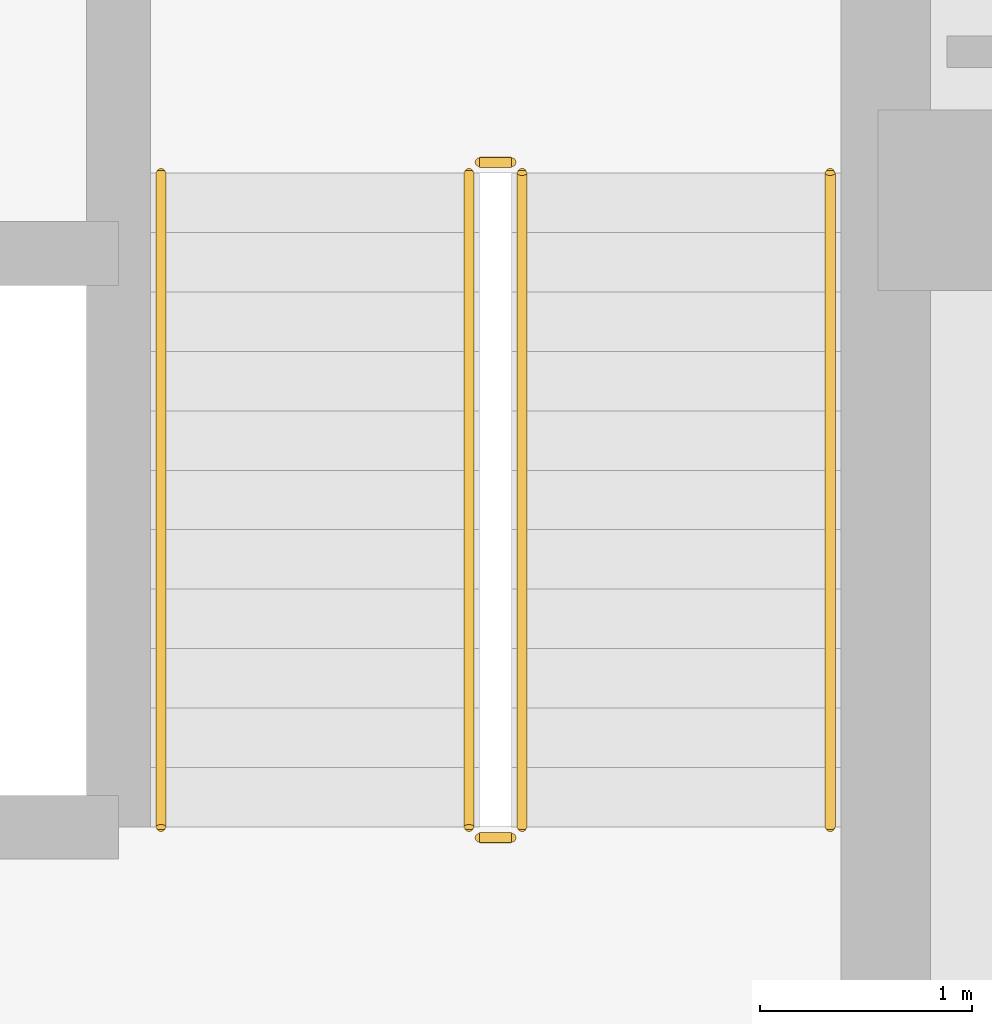
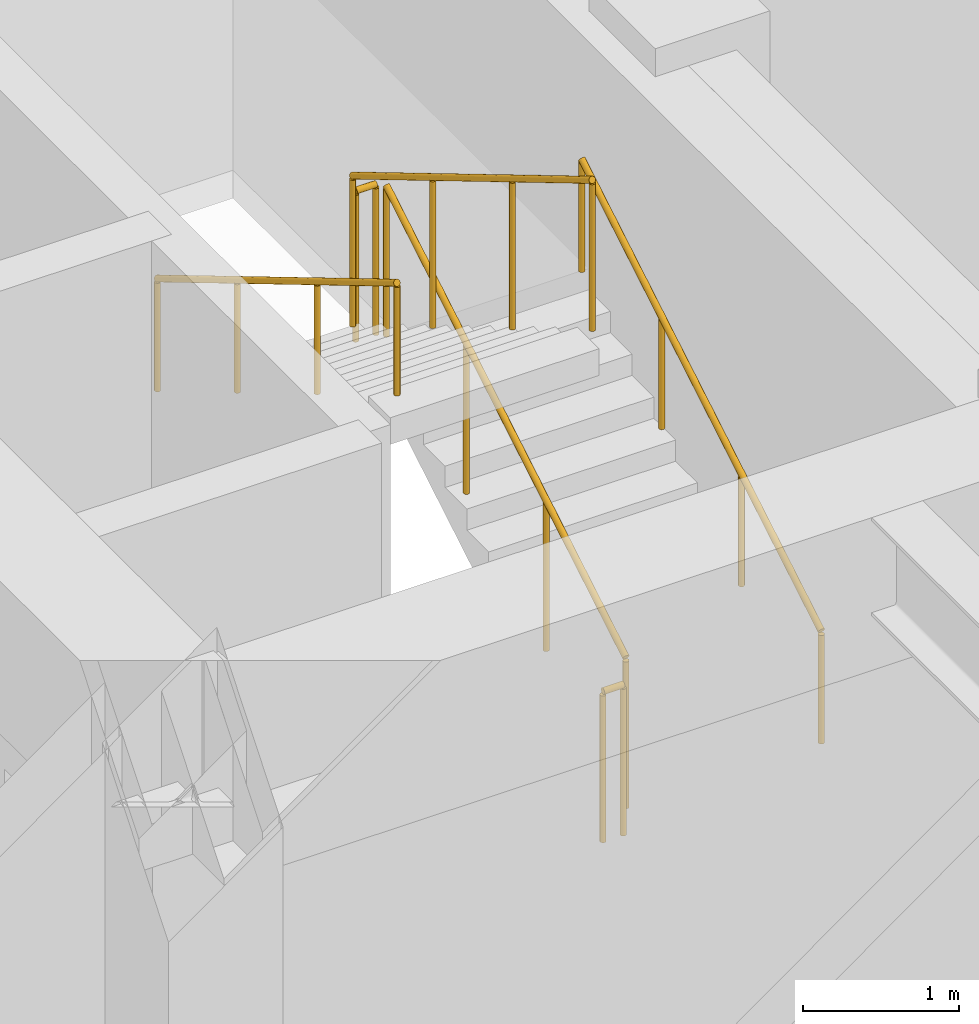
# One storey, part 25 of 28: 6 railings.
"""IFC4 building model written with IfcOpenShell, lengths in metres."""

from ifc_helpers import new_model, si_unit, direction, frame, origin, origin_2d, place, context, subcontext, project, spatial, circle, extrude, source, transform, mapped, material, type_object, element, save


model = new_model("IFC4")

# Units and contexts
model_context = context("Model", 3, precision=1e-05, world=origin(), true_north=direction((0.0, 1.0)))
body_context = subcontext(model_context, "Body", "Model", "MODEL_VIEW")
ifc_project = project(units=[si_unit("LENGTHUNIT", "METRE"), si_unit("AREAUNIT", "SQUARE_METRE"), si_unit("VOLUMEUNIT", "CUBIC_METRE"), si_unit("PLANEANGLEUNIT", "RADIAN"), si_unit("MASSUNIT", "GRAM", prefix="KILO")], contexts=[model_context])

# Site, building, storey
site_placement = place(None, origin())
site = spatial("IfcSite", under=ifc_project, at=site_placement, CompositionType="ELEMENT")
building_placement = place(site_placement, origin())
building = spatial("IfcBuilding", under=site, at=building_placement, Name="Khorayat Bourse Tower", CompositionType="ELEMENT")
storey_placement = place(building_placement, frame((0.0, 0.0, 183.10009765625)))
storey = spatial("IfcBuildingStorey", under=building, at=storey_placement, Name="L42", CompositionType="ELEMENT", Elevation=183.10009765625)

# Railings
ifc_material_1 = material(Name="Powder-coated steel balustrade", Category="steel")
railing_type_1 = type_object("IfcRailingType", Name="RLG-GUARD-1200", PredefinedType="GUARDRAIL", material=ifc_material_1)
shared_shape_1 = source(origin(), body_context, "Body", "SweptSolid", [
    extrude(circle(Radius=0.02392578125, at=origin_2d()), frame((0.0, 0.0, 1.17578125), z_axis=(-1.0, 0.0, 0.0), x_axis=(0.0, -1.0, 0.0)), (0.0, 0.0, 1.0), 0.150146484375),
    extrude(circle(Radius=0.02099609375, at=origin_2d()), origin(), (0.0, 0.0, 1.0), 1.15185546875),
    extrude(circle(Radius=0.02099609375, at=origin_2d()), frame((-0.150146484375, 0.0, 0.0)), (0.0, 0.0, 1.0), 1.15185546875),
])
for number, where, name in (
    (1, (-6.64990234375, -5.820068359375, 2.0), "L42 ST-1 stair guard 2"),
    (2, (-6.64990234375, -9.0, 0.0), "L42 ST-1 stair guard 4"),
):
    element("IfcRailing", number, at=place(storey_placement, frame(where)), inside=storey, type_object=railing_type_1, Name=name, PredefinedType="GUARDRAIL", context=body_context, shape_type="MappedRepresentation", body=[
        mapped(shared_shape_1, transform((0.0, 0.0, 0.0), scale=1.0)),
    ])
shared_shape_2 = source(origin(), body_context, "Body", "SweptSolid", [
    extrude(circle(Radius=0.02392578125, at=origin_2d()), frame((0.0, 0.0, 1.17578125), z_axis=(0.0, 0.859260807169, 0.511537745687), x_axis=(-1.0, 0.0, 0.0)), (0.0, 0.0, 1.0), 3.584228515625),
    extrude(circle(Radius=0.02099609375, at=origin_2d()), origin(), (0.0, 0.0, 1.0), 1.15185546875),
    extrude(circle(Radius=0.02099609375, at=origin_2d()), frame((0.0, 1.026611328125, 0.611083984375)), (0.0, 0.0, 1.0), 1.15185546875),
    extrude(circle(Radius=0.02099609375, at=origin_2d()), frame((0.0, 2.05322265625, 1.222412109375)), (0.0, 0.0, 1.0), 1.15185546875),
    extrude(circle(Radius=0.02099609375, at=origin_2d()), frame((0.0, 3.079833984375, 1.83349609375)), (0.0, 0.0, 1.0), 1.15185546875),
])
railing_1_placement = place(storey_placement, frame((-6.60009765625, -8.949951171875, 0.16650390625)))
element("IfcRailing", 3, at=railing_1_placement, inside=storey, type_object=railing_type_1, Name="L42 ST-1 stair guard 1", PredefinedType="GUARDRAIL", context=body_context, shape_type="MappedRepresentation", body=[
    mapped(shared_shape_2, transform((0.0, 0.0, 0.0), scale=1.0)),
])
shared_shape_3 = source(origin(), body_context, "Body", "SweptSolid", [
    extrude(circle(Radius=0.02392578125, at=origin_2d()), frame((0.0, 0.0, 1.17578125), z_axis=(0.0, -0.859260807169, 0.511537745687), x_axis=(1.0, 0.0, 0.0)), (0.0, 0.0, 1.0), 3.584228515625),
    extrude(circle(Radius=0.02099609375, at=origin_2d()), origin(), (0.0, 0.0, 1.0), 1.15185546875),
    extrude(circle(Radius=0.02099609375, at=origin_2d()), frame((0.0, -1.026611328125, 0.611083984375)), (0.0, 0.0, 1.0), 1.15185546875),
    extrude(circle(Radius=0.02099609375, at=origin_2d()), frame((0.0, -2.05322265625, 1.222412109375)), (0.0, 0.0, 1.0), 1.15185546875),
    extrude(circle(Radius=0.02099609375, at=origin_2d()), frame((0.0, -3.079833984375, 1.83349609375)), (0.0, 0.0, 1.0), 1.15185546875),
])
railing_2_placement = place(storey_placement, frame((-6.85009765625, -5.8701171875, 2.16650390625)))
element("IfcRailing", 4, at=railing_2_placement, inside=storey, type_object=railing_type_1, Name="L42 ST-1 stair guard 3", PredefinedType="GUARDRAIL", context=body_context, shape_type="MappedRepresentation", body=[
    mapped(shared_shape_3, transform((0.0, 0.0, 0.0), scale=1.0)),
])
ifc_material_2 = material(Name="Brushed bronze stainless-steel handrail", Category="steel")
railing_type_2 = type_object("IfcRailingType", Name="RLG-HAND-900", PredefinedType="HANDRAIL", material=ifc_material_2)
shared_shape_4 = source(origin(), body_context, "Body", "SweptSolid", [
    extrude(circle(Radius=0.02392578125, at=origin_2d()), frame((0.0, 0.0, 0.8759765625), z_axis=(0.0, 0.859260807169, 0.511537745687), x_axis=(-1.0, 0.0, 0.0)), (0.0, 0.0, 1.0), 3.584228515625),
    extrude(circle(Radius=0.02099609375, at=origin_2d()), origin(), (0.0, 0.0, 1.0), 0.851806640625),
    extrude(circle(Radius=0.02099609375, at=origin_2d()), frame((0.0, 1.026611328125, 0.611083984375)), (0.0, 0.0, 1.0), 0.851806640625),
    extrude(circle(Radius=0.02099609375, at=origin_2d()), frame((0.0, 2.05322265625, 1.222412109375)), (0.0, 0.0, 1.0), 0.851806640625),
    extrude(circle(Radius=0.02099609375, at=origin_2d()), frame((0.0, 3.079833984375, 1.83349609375)), (0.0, 0.0, 1.0), 0.851806640625),
])
railing_3_placement = place(storey_placement, frame((-5.14990234375, -8.949951171875, 0.16650390625)))
element("IfcRailing", 5, at=railing_3_placement, inside=storey, type_object=railing_type_2, Name="L42 ST-1 stair handrail 1", PredefinedType="HANDRAIL", context=body_context, shape_type="MappedRepresentation", body=[
    mapped(shared_shape_4, transform((0.0, 0.0, 0.0), scale=1.0)),
])
shared_shape_5 = source(origin(), body_context, "Body", "SweptSolid", [
    extrude(circle(Radius=0.02392578125, at=origin_2d()), frame((0.0, 0.0, 0.8759765625), z_axis=(0.0, -0.859260807169, 0.511537745687), x_axis=(1.0, 0.0, 0.0)), (0.0, 0.0, 1.0), 3.584228515625),
    extrude(circle(Radius=0.02099609375, at=origin_2d()), origin(), (0.0, 0.0, 1.0), 0.851806640625),
    extrude(circle(Radius=0.02099609375, at=origin_2d()), frame((0.0, -1.026611328125, 0.611083984375)), (0.0, 0.0, 1.0), 0.851806640625),
    extrude(circle(Radius=0.02099609375, at=origin_2d()), frame((0.0, -2.05322265625, 1.222412109375)), (0.0, 0.0, 1.0), 0.851806640625),
    extrude(circle(Radius=0.02099609375, at=origin_2d()), frame((0.0, -3.079833984375, 1.83349609375)), (0.0, 0.0, 1.0), 0.851806640625),
])
railing_4_placement = place(storey_placement, frame((-8.300048828125, -5.8701171875, 2.16650390625)))
element("IfcRailing", 6, at=railing_4_placement, inside=storey, type_object=railing_type_2, Name="L42 ST-1 stair handrail 2", PredefinedType="HANDRAIL", context=body_context, shape_type="MappedRepresentation", body=[
    mapped(shared_shape_5, transform((0.0, 0.0, 0.0), scale=1.0)),
])

save(model, "model.ifc")
